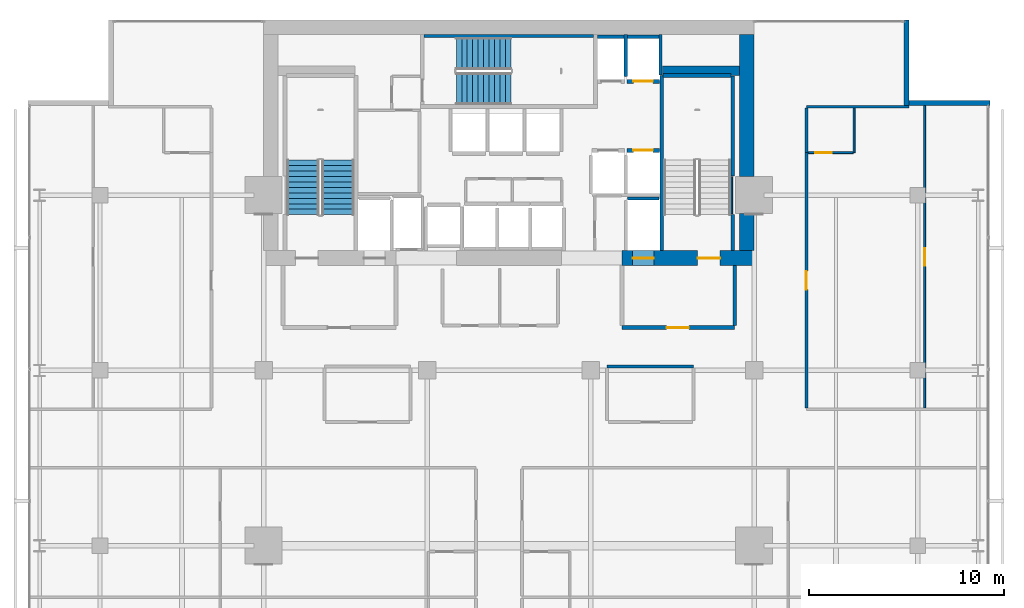
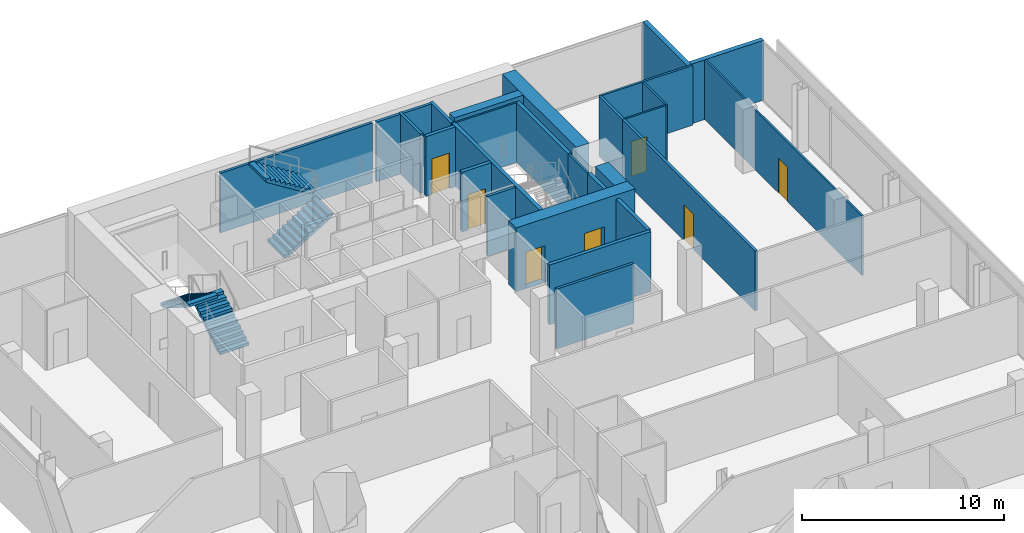
# One storey, part 30 of 33: 27 walls, 8 doors, 4 stair flights, 8 openings, 2 elements without a shape of their own.
"""IFC4 building model written with IfcOpenShell, lengths in metres."""

from ifc_helpers import new_model, si_unit, direction, frame, frame_2d, origin, place, context, subcontext, project, spatial, polyline, rectangle, outline, extrude, material, layer, layer_set, type_object, element, fill, aggregate, save


model = new_model("IFC4")

# Units and contexts
model_context = context("Model", 3, precision=1e-05, world=origin(), true_north=direction((0.0, 1.0)))
body_context = subcontext(model_context, "Body", "Model", "MODEL_VIEW")
ifc_project = project(units=[si_unit("LENGTHUNIT", "METRE"), si_unit("AREAUNIT", "SQUARE_METRE"), si_unit("VOLUMEUNIT", "CUBIC_METRE"), si_unit("PLANEANGLEUNIT", "RADIAN"), si_unit("MASSUNIT", "GRAM", prefix="KILO")], contexts=[model_context])

# Site, building, storey
site_placement = place(None, origin())
site = spatial("IfcSite", under=ifc_project, at=site_placement, CompositionType="ELEMENT")
building_placement = place(site_placement, origin())
building = spatial("IfcBuilding", under=site, at=building_placement, Name="Maruvema Waterfront Hotel and Observation Tower", CompositionType="ELEMENT")
storey_placement = place(building_placement, frame((0.0, 0.0, 169.75)))
storey = spatial("IfcBuildingStorey", under=building, at=storey_placement, Name="L41", CompositionType="ELEMENT", Elevation=169.75)

# Wall
ifc_material_1 = material(Name="Twin-stud acoustic gypsum drywall", Category="gypsum")
ifc_layer_1 = layer(ifc_material_1, 0.14990234375, Name="Acoustic Corridor and Suite Demising Wall 150 mm")
ifc_layer_set_1 = layer_set([ifc_layer_1], Name="Twin-stud acoustic gypsum drywall")
wall_type_1 = type_object("IfcWallType", Name="Acoustic Corridor and Suite Demising Wall 150 mm", PredefinedType="PARTITIONING", material=ifc_layer_set_1)
wall_1_placement = place(storey_placement, frame((42.85009765625, 36.199951171875, 0.0), z_axis=(0.0, 0.0, 1.0), x_axis=(1.0, 0.0, 0.0)))
element("IfcWall", 1, at=wall_1_placement, inside=storey, type_object=wall_type_1, Name="L41 L41-M2 Back Wall 031", PredefinedType="PARTITIONING", context=body_context, shape_type="SweptSolid", body=[
    extrude(rectangle(XDim=4.429931640625, YDim=0.14990234375, at=frame_2d((2.21484375, 0.0))), origin(), (0.0, 0.0, 1.0), 3.610107421875),
])

# Wall, opening, door
wall_2_placement = place(storey_placement, frame((53.080078125, 34.06005859375, 0.0), z_axis=(0.0, 0.0, 1.0), x_axis=(0.0, 1.0, 0.0)))
wall_2 = element("IfcWall", 2, at=wall_2_placement, inside=storey, type_object=wall_type_1, Name="L41 Room L41-NE1 Corridor Wall 092", PredefinedType="PARTITIONING", context=body_context, shape_type="SweptSolid", body=[
    extrude(rectangle(XDim=13.12744140625, YDim=0.14990234375, at=frame_2d((6.563720703125, 0.0))), origin(), (0.0, 0.0, 1.0), 3.610107421875),
])
opening_1_placement = place(wall_2_placement, frame((6.088623046875, 0.0, 0.0)))
opening_1 = element("IfcOpeningElement", 3, at=opening_1_placement, cuts=wall_2, Name="Opening DR-095", PredefinedType="OPENING", context=body_context, shape_type="SweptSolid", body=[
    extrude(rectangle(XDim=0.949951171875, YDim=2.14990234375, at=frame_2d((0.47509765625, 1.074951171875))), frame((0.0, 0.0849609375, 0.0), z_axis=(0.0, -1.0, 0.0), x_axis=(1.0, 0.0, 0.0)), (0.0, 0.0, 1.0), 0.169921875),
])
ifc_material_2 = material(Name="Acoustic solid-core hardwood timber leaf", Category="wood")
door_type_1 = type_object("IfcDoorType", Name="Guestroom Entrance Fire Door 950x2150 mm", OperationType="NOTDEFINED", PredefinedType="DOOR", material=ifc_material_2)
door_1_placement = place(opening_1_placement, frame((0.949951171875, 0.0, 0.0), z_axis=(0.0, 0.0, 1.0), x_axis=(-1.0, 0.0, 0.0)))
door_1 = element("IfcDoor", 4, at=door_1_placement, inside=storey, type_object=door_type_1, Name="L41 Room L41-NE1 Entrance Door", OperationType="SINGLE_SWING_LEFT", OverallHeight=2.14990234375, OverallWidth=0.949951171875, PredefinedType="DOOR", context=body_context, shape_type="SweptSolid", body=[
    extrude(rectangle(XDim=0.949951171875, YDim=2.14990234375, at=frame_2d((0.47509765625, 1.074951171875))), frame((0.0, 0.02490234375, 0.0), z_axis=(0.0, -1.0, 0.0), x_axis=(1.0, 0.0, 0.0)), (0.0, 0.0, 1.0), 0.050048828125),
])
fill(opening_1, door_1)

# Walls
wall_3_placement = place(storey_placement, frame((53.080078125, 47.1875, 0.0), z_axis=(0.0, 0.0, 1.0), x_axis=(0.0, 1.0, 0.0)))
element("IfcWall", 5, at=wall_3_placement, inside=storey, type_object=wall_type_1, Name="L41 Bath L41-NE1 Wall 093", PredefinedType="PARTITIONING", context=body_context, shape_type="SweptSolid", body=[
    extrude(rectangle(XDim=2.2900390625, YDim=0.14990234375, at=frame_2d((1.14501953125, 0.0))), origin(), (0.0, 0.0, 1.0), 3.610107421875),
])
ifc_material_3 = material(Name="Precast concrete C45/55", Category="concrete")
ifc_layer_2 = layer(ifc_material_3, 0.14990234375, Name="Core Shaft Furring Wall 150 mm")
ifc_layer_set_2 = layer_set([ifc_layer_2], Name="Precast concrete C45/55")
wall_type_2 = type_object("IfcWallType", Name="Core Shaft Furring Wall 150 mm", PredefinedType="SOLIDWALL", material=ifc_layer_set_2)
wall_4_placement = place(storey_placement, frame((33.449951171875, 53.175048828125, 0.0), z_axis=(0.0, 0.0, 1.0), x_axis=(1.0, 0.0, 0.0)))
element("IfcWall", 6, at=wall_4_placement, inside=storey, type_object=wall_type_2, Name="L41 Stairwell ST-02 North Furring Wall", PredefinedType="SOLIDWALL", context=body_context, shape_type="SweptSolid", body=[
    extrude(rectangle(XDim=8.699951171875, YDim=0.14990234375, at=frame_2d((4.35009765625, 0.0))), origin(), (0.0, 0.0, 1.0), 3.610107421875),
])
ifc_material_4 = material(Name="Precast concrete C45/55", Category="concrete")
ifc_layer_3 = layer(ifc_material_4, 0.199951171875, Name="Core Shaft and Stairwell Enclosure Wall 200 mm")
ifc_layer_set_3 = layer_set([ifc_layer_3], Name="Precast concrete C45/55")
wall_type_3 = type_object("IfcWallType", Name="Core Shaft and Stairwell Enclosure Wall 200 mm", PredefinedType="SOLIDWALL", material=ifc_layer_set_3)
wall_5_placement = place(storey_placement, frame((45.64990234375, 42.14990234375, 0.0), z_axis=(0.0, 0.0, 1.0), x_axis=(0.0, 1.0, 0.0)))
element("IfcWall", 7, at=wall_5_placement, inside=storey, type_object=wall_type_3, Name="L41 Stairwell ST-03 West Shaft Wall", PredefinedType="SOLIDWALL", context=body_context, shape_type="SweptSolid", body=[
    extrude(rectangle(XDim=9.0, YDim=0.199951171875, at=frame_2d((4.5, 0.0))), origin(), (0.0, 0.0, 1.0), 3.610107421875),
])
wall_6_placement = place(storey_placement, frame((49.300048828125, 42.14990234375, 0.0), z_axis=(0.0, 0.0, 1.0), x_axis=(0.0, 1.0, 0.0)))
element("IfcWall", 8, at=wall_6_placement, inside=storey, type_object=wall_type_3, Name="L41 Stairwell ST-03 Shaft Lining Wall", PredefinedType="SOLIDWALL", context=body_context, shape_type="SweptSolid", body=[
    extrude(rectangle(XDim=1.8701171875, YDim=0.199951171875, at=frame_2d((0.93505859375, 0.0))), origin(), (0.0, 0.0, 1.0), 3.610107421875),
])
wall_7_placement = place(storey_placement, frame((49.300048828125, 45.97998046875, 0.0), z_axis=(0.0, 0.0, 1.0), x_axis=(0.0, 1.0, 0.0)))
element("IfcWall", 9, at=wall_7_placement, inside=storey, type_object=wall_type_3, Name="L41 Stairwell ST-03 Shaft Lining Wall", PredefinedType="SOLIDWALL", context=body_context, shape_type="SweptSolid", body=[
    extrude(rectangle(XDim=5.14013671875, YDim=0.199951171875, at=frame_2d((2.570068359375, 0.0))), origin(), (0.0, 0.0, 1.0), 3.610107421875),
])
wall_8_placement = place(storey_placement, frame((45.719970703125, 51.14990234375, 0.0), z_axis=(0.0, 0.0, 1.0), x_axis=(1.0, 0.0, 0.0)))
element("IfcWall", 10, at=wall_8_placement, inside=storey, type_object=wall_type_3, Name="L41 Stairwell ST-03 Shaft Lining Wall", PredefinedType="SOLIDWALL", context=body_context, shape_type="SweptSolid", body=[
    extrude(rectangle(XDim=3.5, YDim=0.199951171875, at=frame_2d((1.75, 0.0))), origin(), (0.0, 0.0, 1.0), 3.610107421875),
])

# Wall, opening, door
wall_9_placement = place(storey_placement, frame((43.860107421875, 47.300048828125, 0.0), z_axis=(0.0, 0.0, 1.0), x_axis=(1.0, 0.0, 0.0)))
wall_9 = element("IfcWall", 11, at=wall_9_placement, inside=storey, type_object=wall_type_3, Name="L41 Lift LF-06 Hoistway Front Wall", PredefinedType="SOLIDWALL", context=body_context, shape_type="SweptSolid", body=[
    extrude(rectangle(XDim=1.679931640625, YDim=0.199951171875, at=frame_2d((0.83984375, 0.0))), origin(), (0.0, 0.0, 1.0), 3.610107421875),
])
opening_2_placement = place(wall_9_placement, frame((0.340087890625, 0.0, 0.0)))
opening_2 = element("IfcOpeningElement", 12, at=opening_2_placement, cuts=wall_9, Name="Opening LD-01", PredefinedType="OPENING", context=body_context, shape_type="SweptSolid", body=[
    extrude(rectangle(XDim=1.0, YDim=2.14990234375, at=frame_2d((0.5, 1.074951171875))), frame((0.0, 0.10986328125, 0.0), z_axis=(0.0, -1.0, 0.0), x_axis=(1.0, 0.0, 0.0)), (0.0, 0.0, 1.0), 0.219970703125),
])
ifc_material_5 = material(Name="Brushed stainless steel Grade 316", Category="steel")
door_type_2 = type_object("IfcDoorType", Name="Passenger Lift Sliding Landing Door 1000x2150 mm", OperationType="SLIDING_TO_LEFT", PredefinedType="DOOR", material=ifc_material_5)
door_2_placement = place(opening_2_placement, origin())
door_2 = element("IfcDoor", 13, at=door_2_placement, inside=storey, type_object=door_type_2, Name="L41 Lift LF-06 Sliding Landing Door", OperationType="SLIDING_TO_LEFT", OverallHeight=2.14990234375, OverallWidth=1.0, PredefinedType="DOOR", context=body_context, shape_type="SweptSolid", body=[
    extrude(rectangle(XDim=1.0, YDim=2.14990234375, at=frame_2d((0.5, 1.074951171875))), frame((0.0, 0.02490234375, 0.0), z_axis=(0.0, -1.0, 0.0), x_axis=(1.0, 0.0, 0.0)), (0.0, 0.0, 1.0), 0.050048828125),
])
fill(opening_2, door_2)

wall_10_placement = place(storey_placement, frame((43.860107421875, 50.85009765625, 0.0), z_axis=(0.0, 0.0, 1.0), x_axis=(1.0, 0.0, 0.0)))
wall_10 = element("IfcWall", 14, at=wall_10_placement, inside=storey, type_object=wall_type_3, Name="L41 Lift LF-08 Hoistway Front Wall", PredefinedType="SOLIDWALL", context=body_context, shape_type="SweptSolid", body=[
    extrude(rectangle(XDim=1.679931640625, YDim=0.199951171875, at=frame_2d((0.83984375, 0.0))), origin(), (0.0, 0.0, 1.0), 3.610107421875),
])
opening_3_placement = place(wall_10_placement, frame((0.340087890625, 0.0, 0.0)))
opening_3 = element("IfcOpeningElement", 15, at=opening_3_placement, cuts=wall_10, Name="Opening LD-01", PredefinedType="OPENING", context=body_context, shape_type="SweptSolid", body=[
    extrude(rectangle(XDim=1.0, YDim=2.14990234375, at=frame_2d((0.5, 1.074951171875))), frame((0.0, 0.10986328125, 0.0), z_axis=(0.0, -1.0, 0.0), x_axis=(1.0, 0.0, 0.0)), (0.0, 0.0, 1.0), 0.219970703125),
])
door_3_placement = place(opening_3_placement, frame((1.0, 0.0, 0.0), z_axis=(0.0, 0.0, 1.0), x_axis=(-1.0, 0.0, 0.0)))
door_3 = element("IfcDoor", 16, at=door_3_placement, inside=storey, type_object=door_type_2, Name="L41 Lift LF-08 Sliding Landing Door", OperationType="SLIDING_TO_LEFT", OverallHeight=2.14990234375, OverallWidth=1.0, PredefinedType="DOOR", context=body_context, shape_type="SweptSolid", body=[
    extrude(rectangle(XDim=1.0, YDim=2.14990234375, at=frame_2d((0.5, 1.074951171875))), frame((0.0, 0.02490234375, 0.0), z_axis=(0.0, -1.0, 0.0), x_axis=(1.0, 0.0, 0.0)), (0.0, 0.0, 1.0), 0.050048828125),
])
fill(opening_3, door_3)

# Wall
ifc_material_6 = material(Name="Concrete C70/85", Category="concrete")
ifc_layer_4 = layer(ifc_material_6, 0.5, Name="Core Shear Wall 500 mm")
ifc_layer_set_4 = layer_set([ifc_layer_4], Name="Concrete C70/85")
wall_type_4 = type_object("IfcWallType", Name="Core Shear Wall 500 mm", PredefinedType="SHEAR", material=ifc_layer_set_4)
wall_11_placement = place(storey_placement, frame((45.699951171875, 51.39990234375, 0.0), z_axis=(0.0, 0.0, 1.0), x_axis=(1.0, 0.0, 0.0)))
element("IfcWall", 17, at=wall_11_placement, inside=storey, type_object=wall_type_4, Name="L41 Internal Core Shear Wall NE 500 mm", PredefinedType="SHEAR", context=body_context, shape_type="SweptSolid", body=[
    extrude(rectangle(XDim=3.949951171875, YDim=0.5, at=frame_2d((1.97509765625, 0.0))), origin(), (0.0, 0.0, 1.0), 3.85009765625),
])

# Wall, openings, doors
ifc_material_7 = material(Name="Concrete C70/85", Category="concrete")
ifc_layer_5 = layer(ifc_material_7, 0.75, Name="Core Shear Wall 750 mm")
ifc_layer_set_5 = layer_set([ifc_layer_5], Name="Concrete C70/85")
wall_type_5 = type_object("IfcWallType", Name="Core Shear Wall 750 mm", PredefinedType="SHEAR", material=ifc_layer_set_5)
wall_12_placement = place(storey_placement, frame((43.60009765625, 41.77490234375, 0.0), z_axis=(0.0, 0.0, 1.0), x_axis=(1.0, 0.0, 0.0)))
wall_12 = element("IfcWall", 18, at=wall_12_placement, inside=storey, type_object=wall_type_5, Name="L41 South-East Core Shear Wall", PredefinedType="SHEAR", context=body_context, shape_type="SweptSolid", body=[
    extrude(rectangle(XDim=6.7998046875, YDim=0.75, at=frame_2d((3.39990234375, 0.0))), origin(), (0.0, 0.0, 1.0), 3.85009765625),
])
opening_4_placement = place(wall_12_placement, frame((3.89990234375, 0.0, 0.0)))
opening_4 = element("IfcOpeningElement", 19, at=opening_4_placement, cuts=wall_12, Name="Opening SD-01", PredefinedType="OPENING", context=body_context, shape_type="SweptSolid", body=[
    extrude(rectangle(XDim=1.14990234375, YDim=2.14990234375, at=frame_2d((0.574951171875, 1.074951171875))), frame((0.0, 0.385009765625, 0.0), z_axis=(0.0, -1.0, 0.0), x_axis=(1.0, 0.0, 0.0)), (0.0, 0.0, 1.0), 0.77001953125),
])
opening_5_placement = place(wall_12_placement, frame((0.550048828125, 0.0, 0.0)))
opening_5 = element("IfcOpeningElement", 20, at=opening_5_placement, cuts=wall_12, Name="Opening LD-03", PredefinedType="OPENING", context=body_context, shape_type="SweptSolid", body=[
    extrude(rectangle(XDim=1.10009765625, YDim=2.199951171875, at=frame_2d((0.550048828125, 1.10009765625))), frame((0.0, 0.385009765625, 0.0), z_axis=(0.0, -1.0, 0.0), x_axis=(1.0, 0.0, 0.0)), (0.0, 0.0, 1.0), 0.77001953125),
])
ifc_material_8 = material(Name="Fire-rated galvanised steel leaf", Category="steel")
door_type_3 = type_object("IfcDoorType", Name="Exit Stair Fire Door 1150x2150 mm", OperationType="NOTDEFINED", PredefinedType="DOOR", material=ifc_material_8)
door_4_placement = place(opening_4_placement, origin())
door_4 = element("IfcDoor", 21, at=door_4_placement, inside=storey, type_object=door_type_3, Name="L41 Exit Stair ST-03 Fire Door", OperationType="SINGLE_SWING_RIGHT", OverallHeight=2.14990234375, OverallWidth=1.14990234375, PredefinedType="DOOR", context=body_context, shape_type="SweptSolid", body=[
    extrude(rectangle(XDim=1.14990234375, YDim=2.14990234375, at=frame_2d((0.574951171875, 1.074951171875))), frame((0.0, 0.02490234375, 0.0), z_axis=(0.0, -1.0, 0.0), x_axis=(1.0, 0.0, 0.0)), (0.0, 0.0, 1.0), 0.050048828125),
])
fill(opening_4, door_4)
ifc_material_9 = material(Name="Brushed stainless steel Grade 316", Category="steel")
door_type_4 = type_object("IfcDoorType", Name="Firefighting Lift Sliding Landing Door 1100x2200 mm", OperationType="SLIDING_TO_LEFT", PredefinedType="DOOR", material=ifc_material_9)
door_5_placement = place(opening_5_placement, frame((1.10009765625, 0.0, 0.0), z_axis=(0.0, 0.0, 1.0), x_axis=(-1.0, 0.0, 0.0)))
door_5 = element("IfcDoor", 22, at=door_5_placement, inside=storey, type_object=door_type_4, Name="L41 Firefighting Lift FL-02 Landing Door", OperationType="SLIDING_TO_LEFT", OverallHeight=2.199951171875, OverallWidth=1.10009765625, PredefinedType="DOOR", context=body_context, shape_type="SweptSolid", body=[
    extrude(rectangle(XDim=1.10009765625, YDim=2.199951171875, at=frame_2d((0.550048828125, 1.10009765625))), frame((0.0, 0.02490234375, 0.0), z_axis=(0.0, -1.0, 0.0), x_axis=(1.0, 0.0, 0.0)), (0.0, 0.0, 1.0), 0.050048828125),
])
fill(opening_5, door_5)

# Walls
wall_13_placement = place(storey_placement, frame((50.02490234375, 42.14990234375, 0.0), z_axis=(0.0, 0.0, 1.0), x_axis=(0.0, 1.0, 0.0)))
element("IfcWall", 23, at=wall_13_placement, inside=storey, type_object=wall_type_5, Name="L41 East-South Core Shear Wall", PredefinedType="SHEAR", context=body_context, shape_type="SweptSolid", body=[
    extrude(rectangle(XDim=1.900146484375, YDim=0.75, at=frame_2d((0.9501953125, 0.0))), origin(), (0.0, 0.0, 1.0), 3.85009765625),
])
wall_14_placement = place(storey_placement, frame((50.02490234375, 45.949951171875, 0.0), z_axis=(0.0, 0.0, 1.0), x_axis=(0.0, 1.0, 0.0)))
element("IfcWall", 24, at=wall_14_placement, inside=storey, type_object=wall_type_5, Name="L41 East-North Core Shear Wall", PredefinedType="SHEAR", context=body_context, shape_type="SweptSolid", body=[
    extrude(rectangle(XDim=7.300048828125, YDim=0.75, at=frame_2d((3.64990234375, 0.0))), origin(), (0.0, 0.0, 1.0), 3.85009765625),
])
ifc_material_10 = material(Name="Moisture-resistant cement-board drywall", Category="gypsum")
ifc_layer_6 = layer(ifc_material_10, 0.10009765625, Name="En-Suite Moisture-Resistant Partition 100 mm")
ifc_layer_set_6 = layer_set([ifc_layer_6], Name="Moisture-resistant cement-board drywall")
wall_type_6 = type_object("IfcWallType", Name="En-Suite Moisture-Resistant Partition 100 mm", PredefinedType="PARTITIONING", material=ifc_layer_set_6)
wall_15_placement = place(storey_placement, frame((55.530029296875, 47.1875, 0.0), z_axis=(0.0, 0.0, 1.0), x_axis=(0.0, 1.0, 0.0)))
element("IfcWall", 25, at=wall_15_placement, inside=storey, type_object=wall_type_6, Name="L41 En-Suite L41-NE1 E 094", PredefinedType="PARTITIONING", context=body_context, shape_type="SweptSolid", body=[
    extrude(rectangle(XDim=2.2900390625, YDim=0.10009765625, at=frame_2d((1.14501953125, 0.0))), origin(), (0.0, 0.0, 1.0), 3.610107421875),
])

# Wall, opening, door
wall_16_placement = place(storey_placement, frame((53.179931640625, 47.1875, 0.0), z_axis=(0.0, 0.0, 1.0), x_axis=(1.0, 0.0, 0.0)))
wall_16 = element("IfcWall", 26, at=wall_16_placement, inside=storey, type_object=wall_type_6, Name="L41 En-Suite L41-NE1 S 095", PredefinedType="PARTITIONING", context=body_context, shape_type="SweptSolid", body=[
    extrude(rectangle(XDim=2.300048828125, YDim=0.10009765625, at=frame_2d((1.14990234375, 0.0))), origin(), (0.0, 0.0, 1.0), 3.610107421875),
])
opening_6_placement = place(wall_16_placement, frame((0.35009765625, 0.0, 0.0)))
opening_6 = element("IfcOpeningElement", 27, at=opening_6_placement, cuts=wall_16, Name="Opening DR-085", PredefinedType="OPENING", context=body_context, shape_type="SweptSolid", body=[
    extrude(rectangle(XDim=0.85009765625, YDim=2.10009765625, at=frame_2d((0.425048828125, 1.050048828125))), frame((0.0, 0.06005859375, 0.0), z_axis=(0.0, -1.0, 0.0), x_axis=(1.0, 0.0, 0.0)), (0.0, 0.0, 1.0), 0.1201171875),
])
ifc_material_11 = material(Name="Moisture-resistant solid timber leaf", Category="wood")
door_type_5 = type_object("IfcDoorType", Name="En-Suite Bathroom Door 850x2100 mm", OperationType="NOTDEFINED", PredefinedType="DOOR", material=ifc_material_11)
door_6_placement = place(opening_6_placement, frame((0.85009765625, 0.0, 0.0), z_axis=(0.0, 0.0, 1.0), x_axis=(-1.0, 0.0, 0.0)))
door_6 = element("IfcDoor", 28, at=door_6_placement, inside=storey, type_object=door_type_5, Name="L41 En-Suite L41-NE1 Door", OperationType="SINGLE_SWING_RIGHT", OverallHeight=2.10009765625, OverallWidth=0.85009765625, PredefinedType="DOOR", context=body_context, shape_type="SweptSolid", body=[
    extrude(rectangle(XDim=0.85009765625, YDim=2.10009765625, at=frame_2d((0.425048828125, 1.050048828125))), frame((0.0, 0.02490234375, 0.0), z_axis=(0.0, -1.0, 0.0), x_axis=(1.0, 0.0, 0.0)), (0.0, 0.0, 1.0), 0.050048828125),
])
fill(opening_6, door_6)

wall_17_placement = place(storey_placement, frame((59.154296875, 34.06005859375, 0.0), z_axis=(0.0, 0.0, 1.0), x_axis=(0.0, 1.0, 0.0)))
wall_17 = element("IfcWall", 29, at=wall_17_placement, inside=storey, type_object=wall_type_6, Name="L41 Suite L41-NE1 Split 096", PredefinedType="PARTITIONING", context=body_context, shape_type="SweptSolid", body=[
    extrude(rectangle(XDim=15.537353515625, YDim=0.10009765625, at=frame_2d((7.7685546875, 0.0))), origin(), (0.0, 0.0, 1.0), 3.610107421875),
])
opening_7_placement = place(wall_17_placement, frame((7.318603515625, 0.0, 0.0)))
opening_7 = element("IfcOpeningElement", 30, at=opening_7_placement, cuts=wall_17, Name="Opening DR-090", PredefinedType="OPENING", context=body_context, shape_type="SweptSolid", body=[
    extrude(rectangle(XDim=0.89990234375, YDim=2.10009765625, at=frame_2d((0.449951171875, 1.050048828125))), frame((0.0, 0.06005859375, 0.0), z_axis=(0.0, -1.0, 0.0), x_axis=(1.0, 0.0, 0.0)), (0.0, 0.0, 1.0), 0.1201171875),
])
ifc_material_12 = material(Name="Solid-core lacquered timber leaf", Category="wood")
door_type_6 = type_object("IfcDoorType", Name="Accessible Toilet and Room Door 900x2100 mm", OperationType="NOTDEFINED", PredefinedType="DOOR", material=ifc_material_12)
door_7_placement = place(opening_7_placement, frame((0.89990234375, 0.0, 0.0), z_axis=(0.0, 0.0, 1.0), x_axis=(-1.0, 0.0, 0.0)))
door_7 = element("IfcDoor", 31, at=door_7_placement, inside=storey, type_object=door_type_6, Name="L41 Suite L41-NE1 Bedroom Door", OperationType="SINGLE_SWING_RIGHT", OverallHeight=2.10009765625, OverallWidth=0.89990234375, PredefinedType="DOOR", context=body_context, shape_type="SweptSolid", body=[
    extrude(rectangle(XDim=0.89990234375, YDim=2.10009765625, at=frame_2d((0.449951171875, 1.050048828125))), frame((0.0, 0.02490234375, 0.0), z_axis=(0.0, -1.0, 0.0), x_axis=(1.0, 0.0, 0.0)), (0.0, 0.0, 1.0), 0.050048828125),
])
fill(opening_7, door_7)

# Walls
ifc_material_13 = material(Name="Precast concrete C45/55 with honed Pernambuco granite facing", Category="masonry")
ifc_layer_7 = layer(ifc_material_13, 0.260009765625, Name="Exterior Granite Clad Spandrel and Pier Wall 260 mm")
ifc_layer_set_7 = layer_set([ifc_layer_7], Name="Precast concrete C45/55 with honed Pernambuco granite facing")
wall_type_7 = type_object("IfcWallType", Name="Exterior Granite Clad Spandrel and Pier Wall 260 mm", PredefinedType="SOLIDWALL", material=ifc_layer_set_7)
for number, where, z_axis, x_axis, name in (
    (32, (58.22998046875, 54.0, 0.0), (0.0, 0.0, 1.0), (0.0, -1.0, 0.0), "L41 Corner Notch Granite Pier Wall NE1"),
    (33, (58.10009765625, 49.72998046875, 0.0), (0.0, 0.0, 1.0), (1.0, 0.0, 0.0), "L41 Corner Notch Granite Pier Wall NE2"),
):
    element("IfcWall", number, at=place(storey_placement, frame(where, z_axis=z_axis, x_axis=x_axis)), inside=storey, type_object=wall_type_7, Name=name, PredefinedType="SOLIDWALL", context=body_context, shape_type="SweptSolid", body=[
        extrude(rectangle(XDim=4.39990234375, YDim=0.260009765625, at=frame_2d((2.199951171875, 0.0))), origin(), (0.0, 0.0, 1.0), 3.610107421875),
    ])

# Wall, opening, door
ifc_material_14 = material(Name="Autoclaved cellular concrete blockwork", Category="masonry")
ifc_layer_8 = layer(ifc_material_14, 0.199951171875, Name="Fire Compartment Masonry Wall 200 mm")
ifc_layer_set_8 = layer_set([ifc_layer_8], Name="Autoclaved cellular concrete blockwork")
wall_type_8 = type_object("IfcWallType", Name="Fire Compartment Masonry Wall 200 mm", PredefinedType="PARTITIONING", material=ifc_layer_set_8)
wall_18_placement = place(storey_placement, frame((43.60009765625, 38.199951171875, 0.0), z_axis=(0.0, 0.0, 1.0), x_axis=(1.0, 0.0, 0.0)))
wall_18 = element("IfcWall", 34, at=wall_18_placement, inside=storey, type_object=wall_type_8, Name="L41 FFL East South Wall 004", PredefinedType="PARTITIONING", context=body_context, shape_type="SweptSolid", body=[
    extrude(rectangle(XDim=5.7998046875, YDim=0.199951171875, at=frame_2d((2.89990234375, 0.0))), origin(), (0.0, 0.0, 1.0), 3.610107421875),
])
opening_8_placement = place(wall_18_placement, frame((2.300048828125, 0.0, 0.0)))
opening_8 = element("IfcOpeningElement", 35, at=opening_8_placement, cuts=wall_18, Name="Opening FD-115", PredefinedType="OPENING", context=body_context, shape_type="SweptSolid", body=[
    extrude(rectangle(XDim=1.14990234375, YDim=2.14990234375, at=frame_2d((0.574951171875, 1.074951171875))), frame((0.0, 0.10986328125, 0.0), z_axis=(0.0, -1.0, 0.0), x_axis=(1.0, 0.0, 0.0)), (0.0, 0.0, 1.0), 0.219970703125),
])
ifc_material_15 = material(Name="Fire-rated galvanised steel and vision glass", Category="steel")
door_type_7 = type_object("IfcDoorType", Name="Firefighting Lobby Fire Door 1150x2150 mm", OperationType="NOTDEFINED", PredefinedType="DOOR", material=ifc_material_15)
door_8_placement = place(opening_8_placement, frame((1.14990234375, 0.0, 0.0), z_axis=(0.0, 0.0, 1.0), x_axis=(-1.0, 0.0, 0.0)))
door_8 = element("IfcDoor", 36, at=door_8_placement, inside=storey, type_object=door_type_7, Name="L41 Firefighting Lobby East Door", OperationType="SINGLE_SWING_LEFT", OverallHeight=2.14990234375, OverallWidth=1.14990234375, PredefinedType="DOOR", context=body_context, shape_type="SweptSolid", body=[
    extrude(rectangle(XDim=1.14990234375, YDim=2.14990234375, at=frame_2d((0.574951171875, 1.074951171875))), frame((0.0, 0.02490234375, 0.0), z_axis=(0.0, -1.0, 0.0), x_axis=(1.0, 0.0, 0.0)), (0.0, 0.0, 1.0), 0.050048828125),
])
fill(opening_8, door_8)

# Walls
wall_19_placement = place(storey_placement, frame((49.39990234375, 38.31005859375, 0.0), z_axis=(0.0, 0.0, 1.0), x_axis=(0.0, 1.0, 0.0)))
element("IfcWall", 37, at=wall_19_placement, inside=storey, type_object=wall_type_8, Name="L41 FFL East East Wall 006", PredefinedType="PARTITIONING", context=body_context, shape_type="SweptSolid", body=[
    extrude(rectangle(XDim=3.06982421875, YDim=0.199951171875, at=frame_2d((1.534912109375, 0.0))), origin(), (0.0, 0.0, 1.0), 3.610107421875),
])
ifc_material_16 = material(Name="Acoustic gypsum plasterboard drywall", Category="gypsum")
ifc_layer_9 = layer(ifc_material_16, 0.125, Name="Guestroom Acoustic Demising Wall 125 mm")
ifc_layer_set_9 = layer_set([ifc_layer_9], Name="Acoustic gypsum plasterboard drywall")
wall_type_9 = type_object("IfcWallType", Name="Guestroom Acoustic Demising Wall 125 mm", PredefinedType="PARTITIONING", material=ifc_layer_set_9)
wall_20_placement = place(storey_placement, frame((53.080078125, 49.53759765625, 0.0), z_axis=(0.0, 0.0, 1.0), x_axis=(1.0, 0.0, 0.0)))
element("IfcWall", 38, at=wall_20_placement, inside=storey, type_object=wall_type_9, Name="L41 Z2 NE Top End 086", PredefinedType="PARTITIONING", context=body_context, shape_type="SweptSolid", body=[
    extrude(rectangle(XDim=5.280029296875, YDim=0.125, at=frame_2d((2.64013671875, 0.0))), origin(), (0.0, 0.0, 1.0), 3.610107421875),
])
ifc_material_17 = material(Name="Precast concrete C45/55", Category="concrete")
ifc_layer_10 = layer(ifc_material_17, 0.159912109375, Name="Lift Hoistway Divider Wall 160 mm")
ifc_layer_set_10 = layer_set([ifc_layer_10], Name="Precast concrete C45/55")
wall_type_10 = type_object("IfcWallType", Name="Lift Hoistway Divider Wall 160 mm", PredefinedType="SOLIDWALL", material=ifc_layer_set_10)
wall_21_placement = place(storey_placement, frame((43.89990234375, 44.830078125, 0.0), z_axis=(0.0, 0.0, 1.0), x_axis=(1.0, 0.0, 0.0)))
element("IfcWall", 39, at=wall_21_placement, inside=storey, type_object=wall_type_10, Name="L41 Lift FL-02 Rear Hoistway Wall", PredefinedType="SOLIDWALL", context=body_context, shape_type="SweptSolid", body=[
    extrude(rectangle(XDim=1.60009765625, YDim=0.159912109375, at=frame_2d((0.800048828125, 0.0))), origin(), (0.0, 0.0, 1.0), 3.610107421875),
])
wall_22_placement = place(storey_placement, frame((45.590087890625, 51.179931640625, 0.0), z_axis=(0.0, 0.0, 1.0), x_axis=(0.0, 1.0, 0.0)))
element("IfcWall", 40, at=wall_22_placement, inside=storey, type_object=wall_type_10, Name="L41 Hoistway Divider Wall", PredefinedType="SOLIDWALL", context=body_context, shape_type="SweptSolid", body=[
    extrude(rectangle(XDim=2.070068359375, YDim=0.159912109375, at=frame_2d((1.03515625, 0.0))), origin(), (0.0, 0.0, 1.0), 3.610107421875),
])
wall_23_placement = place(storey_placement, frame((43.800048828125, 51.10009765625, 0.0), z_axis=(0.0, 0.0, 1.0), x_axis=(0.0, 1.0, 0.0)))
element("IfcWall", 41, at=wall_23_placement, inside=storey, type_object=wall_type_10, Name="L41 Hoistway Divider Wall", PredefinedType="SOLIDWALL", context=body_context, shape_type="SweptSolid", body=[
    extrude(rectangle(XDim=2.14990234375, YDim=0.159912109375, at=frame_2d((1.074951171875, 0.0))), origin(), (0.0, 0.0, 1.0), 3.610107421875),
])
wall_24_placement = place(storey_placement, frame((42.360107421875, 53.139892578125, 0.0), z_axis=(0.0, 0.0, 1.0), x_axis=(1.0, 0.0, 0.0)))
element("IfcWall", 42, at=wall_24_placement, inside=storey, type_object=wall_type_10, Name="L41 Hoistway Divider Wall", PredefinedType="SOLIDWALL", context=body_context, shape_type="SweptSolid", body=[
    extrude(rectangle(XDim=3.139892578125, YDim=0.159912109375, at=frame_2d((1.56982421875, 0.0))), origin(), (0.0, 0.0, 1.0), 3.610107421875),
])
ifc_material_18 = material(Name="Precast concrete C45/55", Category="concrete")
ifc_layer_11 = layer(ifc_material_18, 0.10009765625, Name="Stairwell Stringer Cheek Wall 100 mm")
ifc_layer_set_11 = layer_set([ifc_layer_11], Name="Precast concrete C45/55")
wall_type_11 = type_object("IfcWallType", Name="Stairwell Stringer Cheek Wall 100 mm", PredefinedType="SOLIDWALL", material=ifc_layer_set_11)
wall_25_placement = place(storey_placement, frame((49.248046875, 44.0400390625, 0.0), z_axis=(0.0, 0.0, 1.0), x_axis=(0.0, 1.0, 0.0)))
element("IfcWall", 43, at=wall_25_placement, inside=storey, type_object=wall_type_11, Name="L41 Stairwell ST-03 Mega-Column Cheek Wall", PredefinedType="SOLIDWALL", context=body_context, shape_type="SweptSolid", body=[
    extrude(rectangle(XDim=1.919921875, YDim=0.10009765625, at=frame_2d((0.9599609375, 0.0))), origin(), (0.0, 0.0, 1.0), 3.610107421875),
])

# Stair, stair flights
ifc_material_19 = material(Name="Concrete C50/60", Category="concrete")
stair_type = type_object("IfcStairType", Name="Dogleg Exit Stair 1650 mm (22R x 175.0 mm)", PredefinedType="HALF_TURN_STAIR", material=ifc_material_19)
stair_1_placement = place(storey_placement, origin())
stair_1 = element("IfcStair", 44, at=stair_1_placement, inside=storey, type_object=stair_type, Name="L41 ST-01", PredefinedType="HALF_TURN_STAIR")
ifc_material_20 = material(Name="Concrete C50/60", Category="concrete")
stair_flight_type = type_object("IfcStairFlightType", Name="Reinforced Concrete Stair Flight 1650 mm (11R x 175.0 mm)", PredefinedType="STRAIGHT", material=ifc_material_20)
stair_flight_1_placement = place(storey_placement, frame((29.02490234375, 44.0, 0.0), z_axis=(0.0, 0.0, 1.0), x_axis=(0.0, 1.0, 0.0)))
stair_flight_1 = element("IfcStairFlight", 45, at=stair_flight_1_placement, type_object=stair_flight_type, Name="ST-01 flight 1", NumberOfRisers=11, NumberOfTreads=10, PredefinedType="STRAIGHT", RiserHeight=0.175, TreadLength=0.28, context=body_context, shape_type="SweptSolid", body=[
    extrude(outline(polyline([(0.0, 0.0), (0.0, 0.175048828125), (0.280029296875, 0.175048828125), (0.280029296875, 0.35009765625), (0.56005859375, 0.35009765625), (0.56005859375, 0.52490234375), (0.840087890625, 0.52490234375), (0.840087890625, 0.699951171875), (1.1201171875, 0.699951171875), (1.1201171875, 0.875), (1.39990234375, 0.875), (1.39990234375, 1.050048828125), (1.679931640625, 1.050048828125), (1.679931640625, 1.22509765625), (1.9599609375, 1.22509765625), (1.9599609375, 1.39990234375), (2.239990234375, 1.39990234375), (2.239990234375, 1.574951171875), (2.52001953125, 1.574951171875), (2.52001953125, 1.75), (2.800048828125, 1.75), (2.800048828125, 1.925048828125), (2.800048828125, 1.5732421875), (0.28271484375, 0.0), (0.0, 0.0)])), frame((0.0, 0.824951171875, 0.0), z_axis=(0.0, -1.0, 0.0), x_axis=(1.0, 0.0, 0.0)), (0.0, 0.0, 1.0), 1.64990234375),
])
stair_flight_2_placement = place(storey_placement, frame((27.22509765625, 46.800048828125, 1.925048828125), z_axis=(0.0, 0.0, 1.0), x_axis=(0.0, -1.0, 0.0)))
stair_flight_2 = element("IfcStairFlight", 46, at=stair_flight_2_placement, type_object=stair_flight_type, Name="ST-01 flight 2", NumberOfRisers=11, NumberOfTreads=10, PredefinedType="STRAIGHT", RiserHeight=0.175, TreadLength=0.28, context=body_context, shape_type="SweptSolid", body=[
    extrude(outline(polyline([(0.0, 0.0), (0.0, 0.175048828125), (0.280029296875, 0.175048828125), (0.280029296875, 0.35009765625), (0.56005859375, 0.35009765625), (0.56005859375, 0.52490234375), (0.840087890625, 0.52490234375), (0.840087890625, 0.699951171875), (1.1201171875, 0.699951171875), (1.1201171875, 0.875), (1.39990234375, 0.875), (1.39990234375, 1.050048828125), (1.679931640625, 1.050048828125), (1.679931640625, 1.22509765625), (1.9599609375, 1.22509765625), (1.9599609375, 1.39990234375), (2.239990234375, 1.39990234375), (2.239990234375, 1.574951171875), (2.52001953125, 1.574951171875), (2.52001953125, 1.75), (2.800048828125, 1.75), (2.800048828125, 1.925048828125), (2.800048828125, 1.5732421875), (0.28271484375, 0.0), (0.0, 0.0)])), frame((0.0, 0.824951171875, 0.0), z_axis=(0.0, -1.0, 0.0), x_axis=(1.0, 0.0, 0.0)), (0.0, 0.0, 1.0), 1.64990234375),
])
aggregate(stair_1, [stair_flight_1, stair_flight_2])

stair_2_placement = place(storey_placement, origin())
stair_2 = element("IfcStair", 47, at=stair_2_placement, inside=storey, type_object=stair_type, Name="L41 ST-02", PredefinedType="HALF_TURN_STAIR")
stair_flight_3_placement = place(storey_placement, frame((35.10009765625, 50.47509765625, 0.0), z_axis=(0.0, 0.0, 1.0), x_axis=(1.0, 0.0, 0.0)))
stair_flight_3 = element("IfcStairFlight", 48, at=stair_flight_3_placement, type_object=stair_flight_type, Name="ST-02 flight 1", NumberOfRisers=11, NumberOfTreads=10, PredefinedType="STRAIGHT", RiserHeight=0.175, TreadLength=0.28, context=body_context, shape_type="SweptSolid", body=[
    extrude(outline(polyline([(0.0, 0.0), (0.0, 0.175048828125), (0.280029296875, 0.175048828125), (0.280029296875, 0.35009765625), (0.56005859375, 0.35009765625), (0.56005859375, 0.52490234375), (0.840087890625, 0.52490234375), (0.840087890625, 0.699951171875), (1.1201171875, 0.699951171875), (1.1201171875, 0.875), (1.39990234375, 0.875), (1.39990234375, 1.050048828125), (1.679931640625, 1.050048828125), (1.679931640625, 1.22509765625), (1.9599609375, 1.22509765625), (1.9599609375, 1.39990234375), (2.239990234375, 1.39990234375), (2.239990234375, 1.574951171875), (2.52001953125, 1.574951171875), (2.52001953125, 1.75), (2.800048828125, 1.75), (2.800048828125, 1.925048828125), (2.800048828125, 1.5732421875), (0.28271484375, 0.0), (0.0, 0.0)])), frame((0.0, 0.824951171875, 0.0), z_axis=(0.0, -1.0, 0.0), x_axis=(1.0, 0.0, 0.0)), (0.0, 0.0, 1.0), 1.64990234375),
])
stair_flight_4_placement = place(storey_placement, frame((37.89990234375, 52.27490234375, 1.925048828125), z_axis=(0.0, 0.0, 1.0), x_axis=(-1.0, 0.0, 0.0)))
stair_flight_4 = element("IfcStairFlight", 49, at=stair_flight_4_placement, type_object=stair_flight_type, Name="ST-02 flight 2", NumberOfRisers=11, NumberOfTreads=10, PredefinedType="STRAIGHT", RiserHeight=0.175, TreadLength=0.28, context=body_context, shape_type="SweptSolid", body=[
    extrude(outline(polyline([(0.0, 0.0), (0.0, 0.175048828125), (0.280029296875, 0.175048828125), (0.280029296875, 0.35009765625), (0.56005859375, 0.35009765625), (0.56005859375, 0.52490234375), (0.840087890625, 0.52490234375), (0.840087890625, 0.699951171875), (1.1201171875, 0.699951171875), (1.1201171875, 0.875), (1.39990234375, 0.875), (1.39990234375, 1.050048828125), (1.679931640625, 1.050048828125), (1.679931640625, 1.22509765625), (1.9599609375, 1.22509765625), (1.9599609375, 1.39990234375), (2.239990234375, 1.39990234375), (2.239990234375, 1.574951171875), (2.52001953125, 1.574951171875), (2.52001953125, 1.75), (2.800048828125, 1.75), (2.800048828125, 1.925048828125), (2.800048828125, 1.5732421875), (0.28271484375, 0.0), (0.0, 0.0)])), frame((0.0, 0.824951171875, 0.0), z_axis=(0.0, -1.0, 0.0), x_axis=(1.0, 0.0, 0.0)), (0.0, 0.0, 1.0), 1.64990234375),
])
aggregate(stair_2, [stair_flight_3, stair_flight_4])

save(model, "model.ifc")
